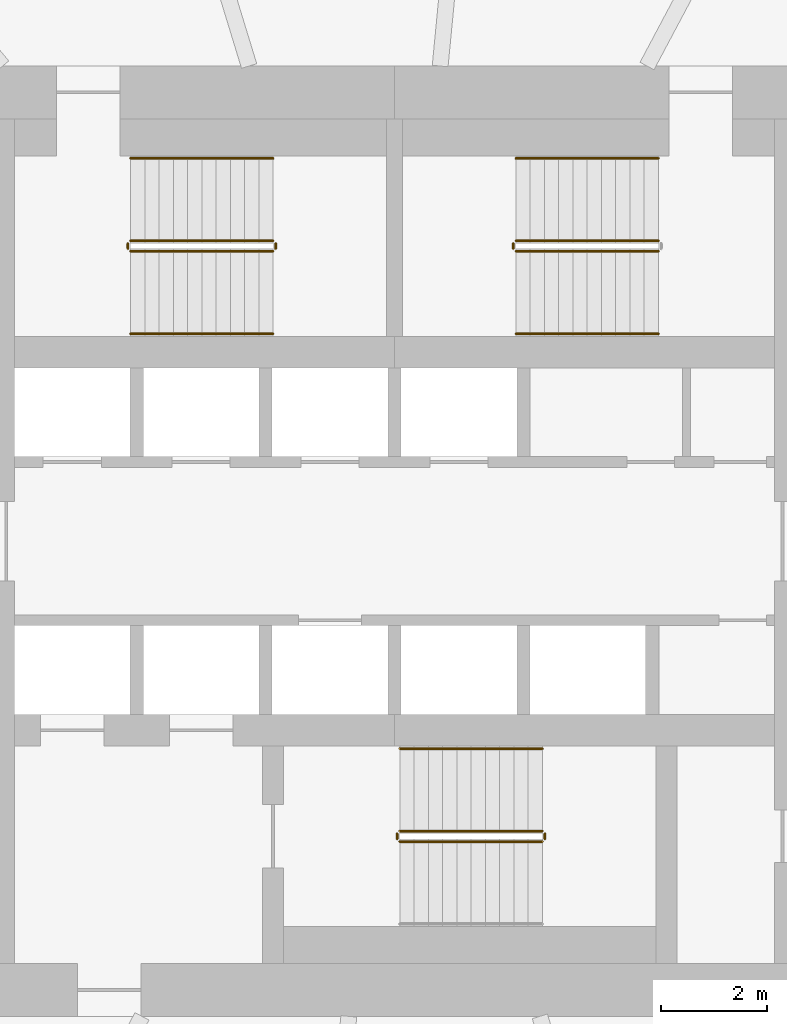
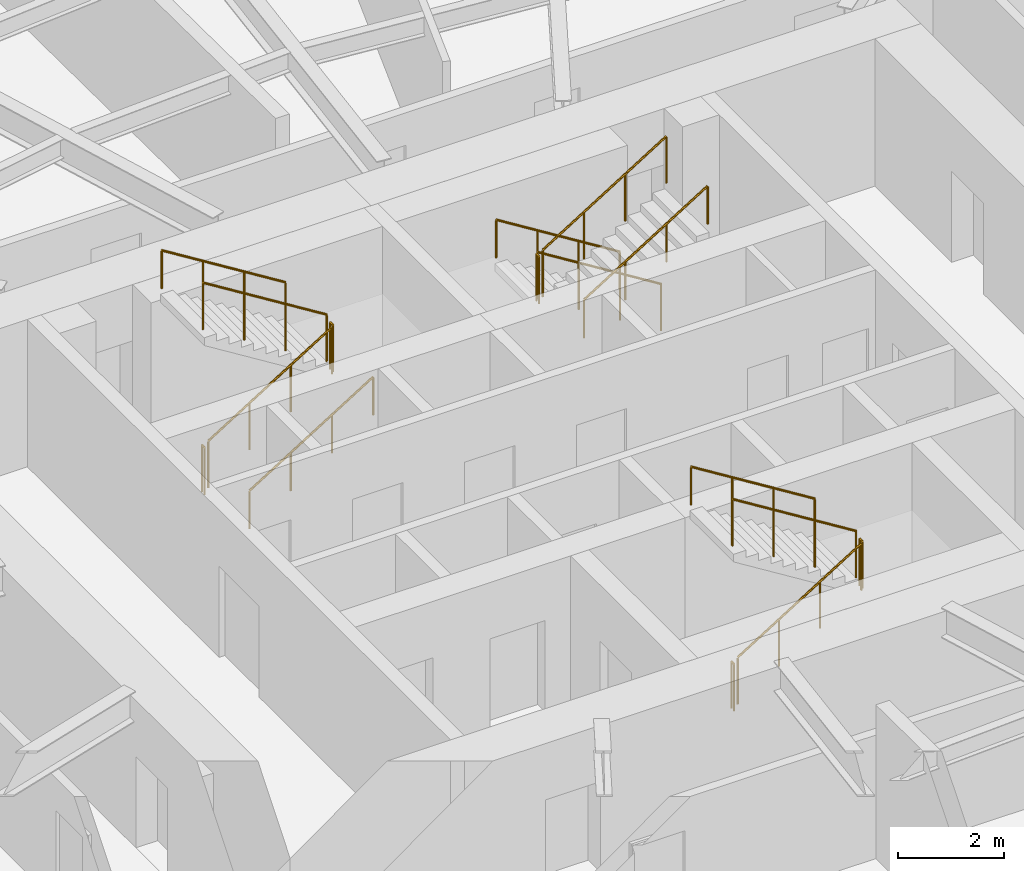
# One storey, part 13 of 16: 16 railings.
"""IFC4 building model written with IfcOpenShell, lengths in metres."""

from ifc_helpers import new_model, si_unit, direction, frame, origin, origin_2d, place, context, subcontext, project, spatial, circle, extrude, material, type_object, element, save


model = new_model("IFC4")

# Units and contexts
model_context = context("Model", 3, precision=1e-05, world=origin(), true_north=direction((0.0, 1.0)))
body_context = subcontext(model_context, "Body", "Model", "MODEL_VIEW")
ifc_project = project(units=[si_unit("LENGTHUNIT", "METRE"), si_unit("AREAUNIT", "SQUARE_METRE"), si_unit("VOLUMEUNIT", "CUBIC_METRE"), si_unit("PLANEANGLEUNIT", "RADIAN"), si_unit("MASSUNIT", "GRAM", prefix="KILO")], contexts=[model_context])

# Site, building, storey
site_placement = place(None, origin())
site = spatial("IfcSite", under=ifc_project, at=site_placement, CompositionType="ELEMENT")
building_placement = place(site_placement, origin())
building = spatial("IfcBuilding", under=site, at=building_placement, Name="Vermilion Reach Broadcast Tower", CompositionType="ELEMENT")
storey_placement = place(building_placement, frame((0.0, 0.0, 73.0)))
storey = spatial("IfcBuildingStorey", under=building, at=storey_placement, Name="L15", CompositionType="ELEMENT", Elevation=73.0)

# Railings
ifc_material_1 = material(Name="Stainless steel", Category="steel")
railing_type_1 = type_object("IfcRailingType", Name="Stair guard 1100", PredefinedType="GUARDRAIL", material=ifc_material_1)
railing_1_placement = place(storey_placement, frame((-11.0, 5.489990234375, 0.168212890625)))
element("IfcRailing", 1, at=railing_1_placement, inside=storey, type_object=railing_type_1, Name="L15 ST1 stair guard 1", PredefinedType="GUARDRAIL", context=body_context, shape_type="SweptSolid", body=[
    extrude(circle(Radius=0.02392578125, at=origin_2d()), frame((0.0, 0.0, 1.076171875), z_axis=(0.848786430784, 0.0, 0.528735846068), x_axis=(0.0, 1.0, 0.0)), (0.0, 0.0, 1.0), 3.180908203125),
    extrude(circle(Radius=0.02099609375, at=origin_2d()), origin(), (0.0, 0.0, 1.0), 1.052001953125),
    extrude(circle(Radius=0.02099609375, at=origin_2d()), frame((0.89990234375, 0.0, 0.560546875)), (0.0, 0.0, 1.0), 1.052001953125),
    extrude(circle(Radius=0.02099609375, at=origin_2d()), frame((1.800048828125, 0.0, 1.121337890625)), (0.0, 0.0, 1.0), 1.052001953125),
    extrude(circle(Radius=0.02099609375, at=origin_2d()), frame((2.699951171875, 0.0, 1.681884765625)), (0.0, 0.0, 1.0), 1.052001953125),
])
railing_2_placement = place(storey_placement, frame((-8.25, 5.5400390625, 1.85009765625)))
element("IfcRailing", 2, at=railing_2_placement, inside=storey, type_object=railing_type_1, Name="L15 ST1 stair guard 2", PredefinedType="GUARDRAIL", context=body_context, shape_type="SweptSolid", body=[
    extrude(circle(Radius=0.02392578125, at=origin_2d()), frame((0.0, 0.0, 1.076171875), z_axis=(0.0, 1.0, 0.0), x_axis=(-1.0, 0.0, 0.0)), (0.0, 0.0, 1.0), 0.099853515625),
    extrude(circle(Radius=0.02099609375, at=origin_2d()), origin(), (0.0, 0.0, 1.0), 1.052001953125),
    extrude(circle(Radius=0.02099609375, at=origin_2d()), frame((0.0, 0.099853515625, 0.0)), (0.0, 0.0, 1.0), 1.052001953125),
])
railing_3_placement = place(storey_placement, frame((-8.300048828125, 5.68994140625, 2.01806640625)))
element("IfcRailing", 3, at=railing_3_placement, inside=storey, type_object=railing_type_1, Name="L15 ST1 stair guard 3", PredefinedType="GUARDRAIL", context=body_context, shape_type="SweptSolid", body=[
    extrude(circle(Radius=0.02392578125, at=origin_2d()), frame((0.0, 0.0, 1.076171875), z_axis=(-0.848786430784, 0.0, 0.528735846068), x_axis=(0.0, -1.0, 0.0)), (0.0, 0.0, 1.0), 3.180908203125),
    extrude(circle(Radius=0.02099609375, at=origin_2d()), origin(), (0.0, 0.0, 1.0), 1.052001953125),
    extrude(circle(Radius=0.02099609375, at=origin_2d()), frame((-0.89990234375, 0.0, 0.560546875)), (0.0, 0.0, 1.0), 1.052001953125),
    extrude(circle(Radius=0.02099609375, at=origin_2d()), frame((-1.800048828125, 0.0, 1.121337890625)), (0.0, 0.0, 1.0), 1.052001953125),
    extrude(circle(Radius=0.02099609375, at=origin_2d()), frame((-2.699951171875, 0.0, 1.681884765625)), (0.0, 0.0, 1.0), 1.052001953125),
])
railing_4_placement = place(storey_placement, frame((-11.050048828125, 5.5400390625, 0.0)))
element("IfcRailing", 4, at=railing_4_placement, inside=storey, type_object=railing_type_1, Name="L15 ST1 stair guard 4", PredefinedType="GUARDRAIL", context=body_context, shape_type="SweptSolid", body=[
    extrude(circle(Radius=0.02392578125, at=origin_2d()), frame((0.0, 0.0, 1.076171875), z_axis=(0.0, 1.0, 0.0), x_axis=(-1.0, 0.0, 0.0)), (0.0, 0.0, 1.0), 0.099853515625),
    extrude(circle(Radius=0.02099609375, at=origin_2d()), origin(), (0.0, 0.0, 1.0), 1.052001953125),
    extrude(circle(Radius=0.02099609375, at=origin_2d()), frame((0.0, 0.099853515625, 0.0)), (0.0, 0.0, 1.0), 1.052001953125),
])
railing_5_placement = place(storey_placement, frame((-1.0, 5.68994140625, 0.168212890625)))
element("IfcRailing", 5, at=railing_5_placement, inside=storey, type_object=railing_type_1, Name="L15 ST2 stair guard 1", PredefinedType="GUARDRAIL", context=body_context, shape_type="SweptSolid", body=[
    extrude(circle(Radius=0.02392578125, at=origin_2d()), frame((0.0, 0.0, 1.076171875), z_axis=(-0.848786430784, 0.0, 0.528735846068), x_axis=(0.0, -1.0, 0.0)), (0.0, 0.0, 1.0), 3.180908203125),
    extrude(circle(Radius=0.02099609375, at=origin_2d()), origin(), (0.0, 0.0, 1.0), 1.052001953125),
    extrude(circle(Radius=0.02099609375, at=origin_2d()), frame((-0.89990234375, 0.0, 0.560546875)), (0.0, 0.0, 1.0), 1.052001953125),
    extrude(circle(Radius=0.02099609375, at=origin_2d()), frame((-1.800048828125, 0.0, 1.121337890625)), (0.0, 0.0, 1.0), 1.052001953125),
    extrude(circle(Radius=0.02099609375, at=origin_2d()), frame((-2.699951171875, 0.0, 1.681884765625)), (0.0, 0.0, 1.0), 1.052001953125),
])
railing_6_placement = place(storey_placement, frame((-3.75, 5.639892578125, 1.85009765625)))
element("IfcRailing", 6, at=railing_6_placement, inside=storey, type_object=railing_type_1, Name="L15 ST2 stair guard 2", PredefinedType="GUARDRAIL", context=body_context, shape_type="SweptSolid", body=[
    extrude(circle(Radius=0.02392578125, at=origin_2d()), frame((0.0, 0.0, 1.076171875), z_axis=(0.0, -1.0, 0.0), x_axis=(1.0, 0.0, 0.0)), (0.0, 0.0, 1.0), 0.099853515625),
    extrude(circle(Radius=0.02099609375, at=origin_2d()), origin(), (0.0, 0.0, 1.0), 1.052001953125),
    extrude(circle(Radius=0.02099609375, at=origin_2d()), frame((0.0, -0.099853515625, 0.0)), (0.0, 0.0, 1.0), 1.052001953125),
])
for number, where, name in (
    (7, (-3.699951171875, 5.489990234375, 2.01806640625), "L15 ST2 stair guard 3"),
    (8, (-5.89990234375, -5.68994140625, 0.168212890625), "L15 ST3 stair guard 1"),
):
    element("IfcRailing", number, at=place(storey_placement, frame(where)), inside=storey, type_object=railing_type_1, Name=name, PredefinedType="GUARDRAIL", context=body_context, shape_type="SweptSolid", body=[
        extrude(circle(Radius=0.02392578125, at=origin_2d()), frame((0.0, 0.0, 1.076171875), z_axis=(0.848786430784, 0.0, 0.528735846068), x_axis=(0.0, 1.0, 0.0)), (0.0, 0.0, 1.0), 3.180908203125),
        extrude(circle(Radius=0.02099609375, at=origin_2d()), origin(), (0.0, 0.0, 1.0), 1.052001953125),
        extrude(circle(Radius=0.02099609375, at=origin_2d()), frame((0.89990234375, 0.0, 0.560546875)), (0.0, 0.0, 1.0), 1.052001953125),
        extrude(circle(Radius=0.02099609375, at=origin_2d()), frame((1.800048828125, 0.0, 1.121337890625)), (0.0, 0.0, 1.0), 1.052001953125),
        extrude(circle(Radius=0.02099609375, at=origin_2d()), frame((2.699951171875, 0.0, 1.681884765625)), (0.0, 0.0, 1.0), 1.052001953125),
    ])
railing_7_placement = place(storey_placement, frame((-3.14990234375, -5.639892578125, 1.85009765625)))
element("IfcRailing", 9, at=railing_7_placement, inside=storey, type_object=railing_type_1, Name="L15 ST3 stair guard 2", PredefinedType="GUARDRAIL", context=body_context, shape_type="SweptSolid", body=[
    extrude(circle(Radius=0.02392578125, at=origin_2d()), frame((0.0, 0.0, 1.076171875), z_axis=(0.0, 1.0, 0.0), x_axis=(-1.0, 0.0, 0.0)), (0.0, 0.0, 1.0), 0.099853515625),
    extrude(circle(Radius=0.02099609375, at=origin_2d()), origin(), (0.0, 0.0, 1.0), 1.052001953125),
    extrude(circle(Radius=0.02099609375, at=origin_2d()), frame((0.0, 0.099853515625, 0.0)), (0.0, 0.0, 1.0), 1.052001953125),
])
railing_8_placement = place(storey_placement, frame((-3.199951171875, -5.489990234375, 2.01806640625)))
element("IfcRailing", 10, at=railing_8_placement, inside=storey, type_object=railing_type_1, Name="L15 ST3 stair guard 3", PredefinedType="GUARDRAIL", context=body_context, shape_type="SweptSolid", body=[
    extrude(circle(Radius=0.02392578125, at=origin_2d()), frame((0.0, 0.0, 1.076171875), z_axis=(-0.848786430784, 0.0, 0.528735846068), x_axis=(0.0, -1.0, 0.0)), (0.0, 0.0, 1.0), 3.180908203125),
    extrude(circle(Radius=0.02099609375, at=origin_2d()), origin(), (0.0, 0.0, 1.0), 1.052001953125),
    extrude(circle(Radius=0.02099609375, at=origin_2d()), frame((-0.89990234375, 0.0, 0.560546875)), (0.0, 0.0, 1.0), 1.052001953125),
    extrude(circle(Radius=0.02099609375, at=origin_2d()), frame((-1.800048828125, 0.0, 1.121337890625)), (0.0, 0.0, 1.0), 1.052001953125),
    extrude(circle(Radius=0.02099609375, at=origin_2d()), frame((-2.699951171875, 0.0, 1.681884765625)), (0.0, 0.0, 1.0), 1.052001953125),
])
railing_9_placement = place(storey_placement, frame((-5.949951171875, -5.639892578125, 0.0)))
element("IfcRailing", 11, at=railing_9_placement, inside=storey, type_object=railing_type_1, Name="L15 ST3 stair guard 4", PredefinedType="GUARDRAIL", context=body_context, shape_type="SweptSolid", body=[
    extrude(circle(Radius=0.02392578125, at=origin_2d()), frame((0.0, 0.0, 1.076171875), z_axis=(0.0, 1.0, 0.0), x_axis=(-1.0, 0.0, 0.0)), (0.0, 0.0, 1.0), 0.099853515625),
    extrude(circle(Radius=0.02099609375, at=origin_2d()), origin(), (0.0, 0.0, 1.0), 1.052001953125),
    extrude(circle(Radius=0.02099609375, at=origin_2d()), frame((0.0, 0.099853515625, 0.0)), (0.0, 0.0, 1.0), 1.052001953125),
])
ifc_material_2 = material(Name="Stainless steel", Category="steel")
railing_type_2 = type_object("IfcRailingType", Name="Stair handrail", PredefinedType="HANDRAIL", material=ifc_material_2)
railing_10_placement = place(storey_placement, frame((-11.0, 3.929931640625, 0.168212890625)))
element("IfcRailing", 12, at=railing_10_placement, inside=storey, type_object=railing_type_2, Name="L15 ST1 stair handrail 1", PredefinedType="HANDRAIL", context=body_context, shape_type="SweptSolid", body=[
    extrude(circle(Radius=0.02392578125, at=origin_2d()), frame((0.0, 0.0, 0.8759765625), z_axis=(0.848786430784, 0.0, 0.528735846068), x_axis=(0.0, 1.0, 0.0)), (0.0, 0.0, 1.0), 3.180908203125),
    extrude(circle(Radius=0.02099609375, at=origin_2d()), origin(), (0.0, 0.0, 1.0), 0.851806640625),
    extrude(circle(Radius=0.02099609375, at=origin_2d()), frame((0.89990234375, 0.0, 0.560546875)), (0.0, 0.0, 1.0), 0.851806640625),
    extrude(circle(Radius=0.02099609375, at=origin_2d()), frame((1.800048828125, 0.0, 1.121337890625)), (0.0, 0.0, 1.0), 0.851806640625),
    extrude(circle(Radius=0.02099609375, at=origin_2d()), frame((2.699951171875, 0.0, 1.681884765625)), (0.0, 0.0, 1.0), 0.851806640625),
])
for number, where, name in (
    (13, (-8.300048828125, 7.25, 2.01806640625), "L15 ST1 stair handrail 2"),
    (14, (-1.0, 7.25, 0.168212890625), "L15 ST2 stair handrail 1"),
):
    element("IfcRailing", number, at=place(storey_placement, frame(where)), inside=storey, type_object=railing_type_2, Name=name, PredefinedType="HANDRAIL", context=body_context, shape_type="SweptSolid", body=[
        extrude(circle(Radius=0.02392578125, at=origin_2d()), frame((0.0, 0.0, 0.8759765625), z_axis=(-0.848786430784, 0.0, 0.528735846068), x_axis=(0.0, -1.0, 0.0)), (0.0, 0.0, 1.0), 3.180908203125),
        extrude(circle(Radius=0.02099609375, at=origin_2d()), origin(), (0.0, 0.0, 1.0), 0.851806640625),
        extrude(circle(Radius=0.02099609375, at=origin_2d()), frame((-0.89990234375, 0.0, 0.560546875)), (0.0, 0.0, 1.0), 0.851806640625),
        extrude(circle(Radius=0.02099609375, at=origin_2d()), frame((-1.800048828125, 0.0, 1.121337890625)), (0.0, 0.0, 1.0), 0.851806640625),
        extrude(circle(Radius=0.02099609375, at=origin_2d()), frame((-2.699951171875, 0.0, 1.681884765625)), (0.0, 0.0, 1.0), 0.851806640625),
    ])
railing_11_placement = place(storey_placement, frame((-3.699951171875, 3.929931640625, 2.01806640625)))
element("IfcRailing", 15, at=railing_11_placement, inside=storey, type_object=railing_type_2, Name="L15 ST2 stair handrail 2", PredefinedType="HANDRAIL", context=body_context, shape_type="SweptSolid", body=[
    extrude(circle(Radius=0.02392578125, at=origin_2d()), frame((0.0, 0.0, 0.8759765625), z_axis=(0.848786430784, 0.0, 0.528735846068), x_axis=(0.0, 1.0, 0.0)), (0.0, 0.0, 1.0), 3.180908203125),
    extrude(circle(Radius=0.02099609375, at=origin_2d()), origin(), (0.0, 0.0, 1.0), 0.851806640625),
    extrude(circle(Radius=0.02099609375, at=origin_2d()), frame((0.89990234375, 0.0, 0.560546875)), (0.0, 0.0, 1.0), 0.851806640625),
    extrude(circle(Radius=0.02099609375, at=origin_2d()), frame((1.800048828125, 0.0, 1.121337890625)), (0.0, 0.0, 1.0), 0.851806640625),
    extrude(circle(Radius=0.02099609375, at=origin_2d()), frame((2.699951171875, 0.0, 1.681884765625)), (0.0, 0.0, 1.0), 0.851806640625),
])
railing_12_placement = place(storey_placement, frame((-3.199951171875, -3.929931640625, 2.01806640625)))
element("IfcRailing", 16, at=railing_12_placement, inside=storey, type_object=railing_type_2, Name="L15 ST3 stair handrail 2", PredefinedType="HANDRAIL", context=body_context, shape_type="SweptSolid", body=[
    extrude(circle(Radius=0.02392578125, at=origin_2d()), frame((0.0, 0.0, 0.8759765625), z_axis=(-0.848786430784, 0.0, 0.528735846068), x_axis=(0.0, -1.0, 0.0)), (0.0, 0.0, 1.0), 3.180908203125),
    extrude(circle(Radius=0.02099609375, at=origin_2d()), origin(), (0.0, 0.0, 1.0), 0.851806640625),
    extrude(circle(Radius=0.02099609375, at=origin_2d()), frame((-0.89990234375, 0.0, 0.560546875)), (0.0, 0.0, 1.0), 0.851806640625),
    extrude(circle(Radius=0.02099609375, at=origin_2d()), frame((-1.800048828125, 0.0, 1.121337890625)), (0.0, 0.0, 1.0), 0.851806640625),
    extrude(circle(Radius=0.02099609375, at=origin_2d()), frame((-2.699951171875, 0.0, 1.681884765625)), (0.0, 0.0, 1.0), 0.851806640625),
])

save(model, "model.ifc")
